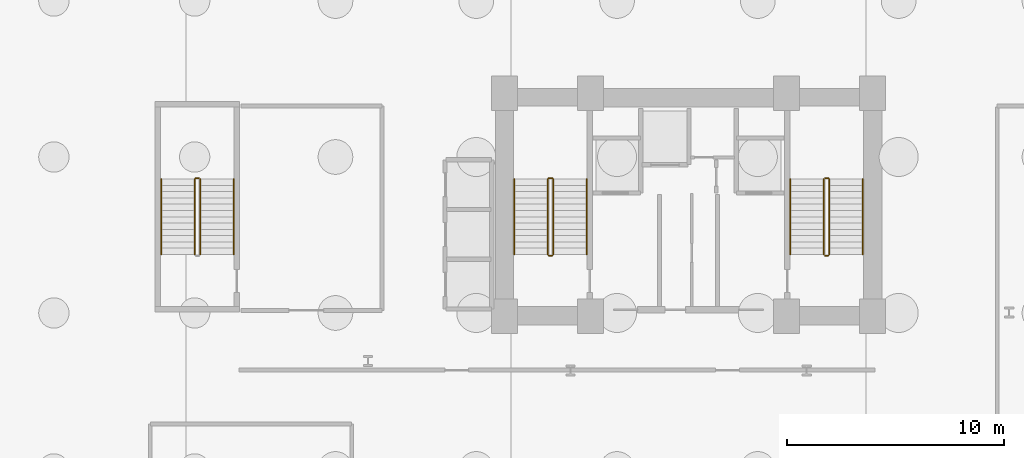
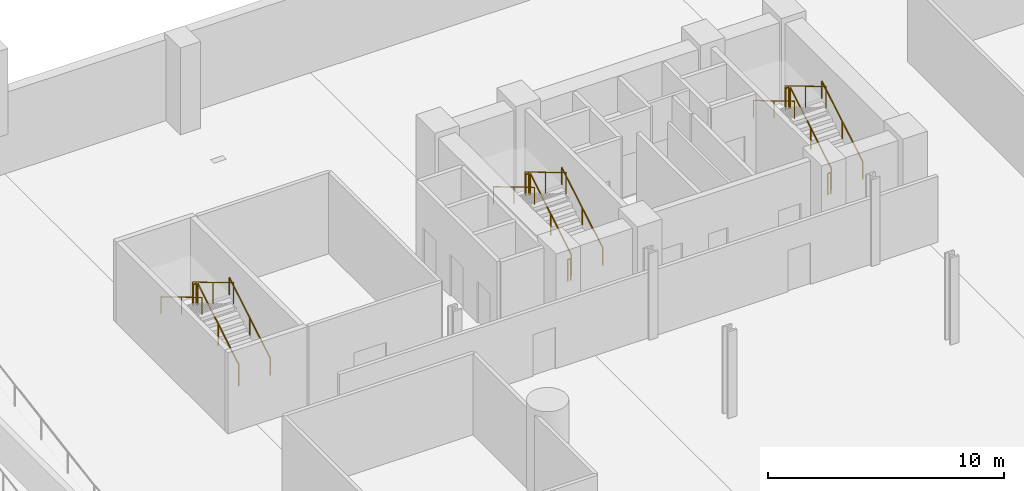
# One storey, part 7 of 8: 17 railings.
"""IFC4 building model written with IfcOpenShell, lengths in metres."""

from ifc_helpers import new_model, si_unit, direction, frame, origin, origin_2d, place, context, subcontext, project, spatial, circle, extrude, material, type_object, element, save


model = new_model("IFC4")

# Units and contexts
model_context = context("Model", 3, precision=1e-05, world=origin(), true_north=direction((0.0, 1.0)))
body_context = subcontext(model_context, "Body", "Model", "MODEL_VIEW")
ifc_project = project(units=[si_unit("LENGTHUNIT", "METRE"), si_unit("AREAUNIT", "SQUARE_METRE"), si_unit("VOLUMEUNIT", "CUBIC_METRE"), si_unit("PLANEANGLEUNIT", "RADIAN"), si_unit("MASSUNIT", "GRAM", prefix="KILO")], contexts=[model_context])

# Site, building, storey
site_placement = place(None, origin())
site = spatial("IfcSite", under=ifc_project, at=site_placement, CompositionType="ELEMENT")
building_placement = place(site_placement, origin())
building = spatial("IfcBuilding", under=site, at=building_placement, Name="Varnelok Gate Tower", CompositionType="ELEMENT")
storey_placement = place(building_placement, frame((0.0, 0.0, -9.0)))
storey = spatial("IfcBuildingStorey", under=building, at=storey_placement, Name="B02", CompositionType="ELEMENT", Elevation=-9.0)

# Railings
ifc_material_1 = material(Name="Brushed Stainless Steel AISI 316", Category="steel")
railing_type_1 = type_object("IfcRailingType", Name="RL-HANDRAIL-900", PredefinedType="HANDRAIL", material=ifc_material_1)
railing_1_placement = place(storey_placement, frame((34.5, 31.60009765625, 0.173095703125)))
element("IfcRailing", 1, at=railing_1_placement, inside=storey, type_object=railing_type_1, Name="B02 ST-1 stair handrail 1", PredefinedType="HANDRAIL", context=body_context, shape_type="SweptSolid", body=[
    extrude(circle(Radius=0.02392578125, at=origin_2d()), frame((0.0, 0.0, 0.8759765625), z_axis=(0.0, 0.858697190188, 0.512483302717), x_axis=(-1.0, 0.0, 0.0)), (0.0, 0.0, 1.0), 4.052734375),
    extrude(circle(Radius=0.02099609375, at=origin_2d()), origin(), (0.0, 0.0, 1.0), 0.851806640625),
    extrude(circle(Radius=0.02099609375, at=origin_2d()), frame((0.0, 1.739990234375, 1.03857421875)), (0.0, 0.0, 1.0), 0.851806640625),
    extrude(circle(Radius=0.02099609375, at=origin_2d()), frame((0.0, 3.47998046875, 2.076904296875)), (0.0, 0.0, 1.0), 0.851806640625),
])
railing_2_placement = place(storey_placement, frame((31.14990234375, 35.080078125, 2.423095703125)))
element("IfcRailing", 2, at=railing_2_placement, inside=storey, type_object=railing_type_1, Name="B02 ST-1 stair handrail 2", PredefinedType="HANDRAIL", context=body_context, shape_type="SweptSolid", body=[
    extrude(circle(Radius=0.02392578125, at=origin_2d()), frame((0.0, 0.0, 0.8759765625), z_axis=(0.0, -0.858697190188, 0.512483302717), x_axis=(1.0, 0.0, 0.0)), (0.0, 0.0, 1.0), 4.052734375),
    extrude(circle(Radius=0.02099609375, at=origin_2d()), origin(), (0.0, 0.0, 1.0), 0.851806640625),
    extrude(circle(Radius=0.02099609375, at=origin_2d()), frame((0.0, -1.739990234375, 1.03857421875)), (0.0, 0.0, 1.0), 0.851806640625),
    extrude(circle(Radius=0.02099609375, at=origin_2d()), frame((0.0, -3.47998046875, 2.076904296875)), (0.0, 0.0, 1.0), 0.851806640625),
])
railing_3_placement = place(storey_placement, frame((47.25, 31.60009765625, 0.173095703125)))
element("IfcRailing", 3, at=railing_3_placement, inside=storey, type_object=railing_type_1, Name="B02 ST-2 stair handrail 1", PredefinedType="HANDRAIL", context=body_context, shape_type="SweptSolid", body=[
    extrude(circle(Radius=0.02392578125, at=origin_2d()), frame((0.0, 0.0, 0.8759765625), z_axis=(0.0, 0.858697190188, 0.512483302717), x_axis=(-1.0, 0.0, 0.0)), (0.0, 0.0, 1.0), 4.052734375),
    extrude(circle(Radius=0.02099609375, at=origin_2d()), origin(), (0.0, 0.0, 1.0), 0.851806640625),
    extrude(circle(Radius=0.02099609375, at=origin_2d()), frame((0.0, 1.739990234375, 1.03857421875)), (0.0, 0.0, 1.0), 0.851806640625),
    extrude(circle(Radius=0.02099609375, at=origin_2d()), frame((0.0, 3.47998046875, 2.076904296875)), (0.0, 0.0, 1.0), 0.851806640625),
])
railing_4_placement = place(storey_placement, frame((43.89990234375, 35.080078125, 2.423095703125)))
element("IfcRailing", 4, at=railing_4_placement, inside=storey, type_object=railing_type_1, Name="B02 ST-2 stair handrail 2", PredefinedType="HANDRAIL", context=body_context, shape_type="SweptSolid", body=[
    extrude(circle(Radius=0.02392578125, at=origin_2d()), frame((0.0, 0.0, 0.8759765625), z_axis=(0.0, -0.858697190188, 0.512483302717), x_axis=(1.0, 0.0, 0.0)), (0.0, 0.0, 1.0), 4.052734375),
    extrude(circle(Radius=0.02099609375, at=origin_2d()), origin(), (0.0, 0.0, 1.0), 0.851806640625),
    extrude(circle(Radius=0.02099609375, at=origin_2d()), frame((0.0, -1.739990234375, 1.03857421875)), (0.0, 0.0, 1.0), 0.851806640625),
    extrude(circle(Radius=0.02099609375, at=origin_2d()), frame((0.0, -3.47998046875, 2.076904296875)), (0.0, 0.0, 1.0), 0.851806640625),
])
railing_5_placement = place(storey_placement, frame((18.199951171875, 31.60009765625, 0.173095703125)))
element("IfcRailing", 5, at=railing_5_placement, inside=storey, type_object=railing_type_1, Name="B02 ST-3 stair handrail 1", PredefinedType="HANDRAIL", context=body_context, shape_type="SweptSolid", body=[
    extrude(circle(Radius=0.02392578125, at=origin_2d()), frame((0.0, 0.0, 0.8759765625), z_axis=(0.0, 0.858697190188, 0.512483302717), x_axis=(-1.0, 0.0, 0.0)), (0.0, 0.0, 1.0), 4.052734375),
    extrude(circle(Radius=0.02099609375, at=origin_2d()), origin(), (0.0, 0.0, 1.0), 0.851806640625),
    extrude(circle(Radius=0.02099609375, at=origin_2d()), frame((0.0, 1.739990234375, 1.03857421875)), (0.0, 0.0, 1.0), 0.851806640625),
    extrude(circle(Radius=0.02099609375, at=origin_2d()), frame((0.0, 3.47998046875, 2.076904296875)), (0.0, 0.0, 1.0), 0.851806640625),
])
railing_6_placement = place(storey_placement, frame((14.85009765625, 35.080078125, 2.423095703125)))
element("IfcRailing", 6, at=railing_6_placement, inside=storey, type_object=railing_type_1, Name="B02 ST-3 stair handrail 2", PredefinedType="HANDRAIL", context=body_context, shape_type="SweptSolid", body=[
    extrude(circle(Radius=0.02392578125, at=origin_2d()), frame((0.0, 0.0, 0.8759765625), z_axis=(0.0, -0.858697190188, 0.512483302717), x_axis=(1.0, 0.0, 0.0)), (0.0, 0.0, 1.0), 4.052734375),
    extrude(circle(Radius=0.02099609375, at=origin_2d()), origin(), (0.0, 0.0, 1.0), 0.851806640625),
    extrude(circle(Radius=0.02099609375, at=origin_2d()), frame((0.0, -1.739990234375, 1.03857421875)), (0.0, 0.0, 1.0), 0.851806640625),
    extrude(circle(Radius=0.02099609375, at=origin_2d()), frame((0.0, -3.47998046875, 2.076904296875)), (0.0, 0.0, 1.0), 0.851806640625),
])
ifc_material_2 = material(Name="Galvanized Steel Grade S350GD", Category="steel")
railing_type_2 = type_object("IfcRailingType", Name="RL-STAIR-GUARD1120", PredefinedType="GUARDRAIL", material=ifc_material_2)
railing_7_placement = place(storey_placement, frame((32.949951171875, 31.60009765625, 0.173095703125)))
element("IfcRailing", 7, at=railing_7_placement, inside=storey, type_object=railing_type_2, Name="B02 ST-1 stair guard 1", PredefinedType="GUARDRAIL", context=body_context, shape_type="SweptSolid", body=[
    extrude(circle(Radius=0.02392578125, at=origin_2d()), frame((0.0, 0.0, 1.09619140625), z_axis=(0.0, 0.858697190188, 0.512483302717), x_axis=(-1.0, 0.0, 0.0)), (0.0, 0.0, 1.0), 4.052734375),
    extrude(circle(Radius=0.02099609375, at=origin_2d()), origin(), (0.0, 0.0, 1.0), 1.072021484375),
    extrude(circle(Radius=0.02099609375, at=origin_2d()), frame((0.0, 1.739990234375, 1.03857421875)), (0.0, 0.0, 1.0), 1.072021484375),
    extrude(circle(Radius=0.02099609375, at=origin_2d()), frame((0.0, 3.47998046875, 2.076904296875)), (0.0, 0.0, 1.0), 1.072021484375),
])
railing_8_placement = place(storey_placement, frame((32.89990234375, 35.1298828125, 2.25)))
element("IfcRailing", 8, at=railing_8_placement, inside=storey, type_object=railing_type_2, Name="B02 ST-1 stair guard 2", PredefinedType="GUARDRAIL", context=body_context, shape_type="SweptSolid", body=[
    extrude(circle(Radius=0.02392578125, at=origin_2d()), frame((0.0, 0.0, 1.09619140625), z_axis=(-1.0, 0.0, 0.0), x_axis=(0.0, -1.0, 0.0)), (0.0, 0.0, 1.0), 0.14990234375),
    extrude(circle(Radius=0.02099609375, at=origin_2d()), origin(), (0.0, 0.0, 1.0), 1.072021484375),
    extrude(circle(Radius=0.02099609375, at=origin_2d()), frame((-0.14990234375, 0.0, 0.0)), (0.0, 0.0, 1.0), 1.072021484375),
])
railing_9_placement = place(storey_placement, frame((32.699951171875, 35.080078125, 2.423095703125)))
element("IfcRailing", 9, at=railing_9_placement, inside=storey, type_object=railing_type_2, Name="B02 ST-1 stair guard 3", PredefinedType="GUARDRAIL", context=body_context, shape_type="SweptSolid", body=[
    extrude(circle(Radius=0.02392578125, at=origin_2d()), frame((0.0, 0.0, 1.09619140625), z_axis=(0.0, -0.858697190188, 0.512483302717), x_axis=(1.0, 0.0, 0.0)), (0.0, 0.0, 1.0), 4.052734375),
    extrude(circle(Radius=0.02099609375, at=origin_2d()), origin(), (0.0, 0.0, 1.0), 1.072021484375),
    extrude(circle(Radius=0.02099609375, at=origin_2d()), frame((0.0, -1.739990234375, 1.03857421875)), (0.0, 0.0, 1.0), 1.072021484375),
    extrude(circle(Radius=0.02099609375, at=origin_2d()), frame((0.0, -3.47998046875, 2.076904296875)), (0.0, 0.0, 1.0), 1.072021484375),
])
railing_10_placement = place(storey_placement, frame((32.89990234375, 31.550048828125, 0.0)))
element("IfcRailing", 10, at=railing_10_placement, inside=storey, type_object=railing_type_2, Name="B02 ST-1 stair guard 4", PredefinedType="GUARDRAIL", context=body_context, shape_type="SweptSolid", body=[
    extrude(circle(Radius=0.02392578125, at=origin_2d()), frame((0.0, 0.0, 1.09619140625), z_axis=(-1.0, 0.0, 0.0), x_axis=(0.0, -1.0, 0.0)), (0.0, 0.0, 1.0), 0.14990234375),
    extrude(circle(Radius=0.02099609375, at=origin_2d()), origin(), (0.0, 0.0, 1.0), 1.072021484375),
    extrude(circle(Radius=0.02099609375, at=origin_2d()), frame((-0.14990234375, 0.0, 0.0)), (0.0, 0.0, 1.0), 1.072021484375),
])
railing_11_placement = place(storey_placement, frame((45.699951171875, 31.60009765625, 0.173095703125)))
element("IfcRailing", 11, at=railing_11_placement, inside=storey, type_object=railing_type_2, Name="B02 ST-2 stair guard 1", PredefinedType="GUARDRAIL", context=body_context, shape_type="SweptSolid", body=[
    extrude(circle(Radius=0.02392578125, at=origin_2d()), frame((0.0, 0.0, 1.09619140625), z_axis=(0.0, 0.858697190188, 0.512483302717), x_axis=(-1.0, 0.0, 0.0)), (0.0, 0.0, 1.0), 4.052734375),
    extrude(circle(Radius=0.02099609375, at=origin_2d()), origin(), (0.0, 0.0, 1.0), 1.072021484375),
    extrude(circle(Radius=0.02099609375, at=origin_2d()), frame((0.0, 1.739990234375, 1.03857421875)), (0.0, 0.0, 1.0), 1.072021484375),
    extrude(circle(Radius=0.02099609375, at=origin_2d()), frame((0.0, 3.47998046875, 2.076904296875)), (0.0, 0.0, 1.0), 1.072021484375),
])
railing_12_placement = place(storey_placement, frame((45.64990234375, 35.1298828125, 2.25)))
element("IfcRailing", 12, at=railing_12_placement, inside=storey, type_object=railing_type_2, Name="B02 ST-2 stair guard 2", PredefinedType="GUARDRAIL", context=body_context, shape_type="SweptSolid", body=[
    extrude(circle(Radius=0.02392578125, at=origin_2d()), frame((0.0, 0.0, 1.09619140625), z_axis=(-1.0, 0.0, 0.0), x_axis=(0.0, -1.0, 0.0)), (0.0, 0.0, 1.0), 0.14990234375),
    extrude(circle(Radius=0.02099609375, at=origin_2d()), origin(), (0.0, 0.0, 1.0), 1.072021484375),
    extrude(circle(Radius=0.02099609375, at=origin_2d()), frame((-0.14990234375, 0.0, 0.0)), (0.0, 0.0, 1.0), 1.072021484375),
])
railing_13_placement = place(storey_placement, frame((45.449951171875, 35.080078125, 2.423095703125)))
element("IfcRailing", 13, at=railing_13_placement, inside=storey, type_object=railing_type_2, Name="B02 ST-2 stair guard 3", PredefinedType="GUARDRAIL", context=body_context, shape_type="SweptSolid", body=[
    extrude(circle(Radius=0.02392578125, at=origin_2d()), frame((0.0, 0.0, 1.09619140625), z_axis=(0.0, -0.858697190188, 0.512483302717), x_axis=(1.0, 0.0, 0.0)), (0.0, 0.0, 1.0), 4.052734375),
    extrude(circle(Radius=0.02099609375, at=origin_2d()), origin(), (0.0, 0.0, 1.0), 1.072021484375),
    extrude(circle(Radius=0.02099609375, at=origin_2d()), frame((0.0, -1.739990234375, 1.03857421875)), (0.0, 0.0, 1.0), 1.072021484375),
    extrude(circle(Radius=0.02099609375, at=origin_2d()), frame((0.0, -3.47998046875, 2.076904296875)), (0.0, 0.0, 1.0), 1.072021484375),
])
railing_14_placement = place(storey_placement, frame((45.64990234375, 31.550048828125, 0.0)))
element("IfcRailing", 14, at=railing_14_placement, inside=storey, type_object=railing_type_2, Name="B02 ST-2 stair guard 4", PredefinedType="GUARDRAIL", context=body_context, shape_type="SweptSolid", body=[
    extrude(circle(Radius=0.02392578125, at=origin_2d()), frame((0.0, 0.0, 1.09619140625), z_axis=(-1.0, 0.0, 0.0), x_axis=(0.0, -1.0, 0.0)), (0.0, 0.0, 1.0), 0.14990234375),
    extrude(circle(Radius=0.02099609375, at=origin_2d()), origin(), (0.0, 0.0, 1.0), 1.072021484375),
    extrude(circle(Radius=0.02099609375, at=origin_2d()), frame((-0.14990234375, 0.0, 0.0)), (0.0, 0.0, 1.0), 1.072021484375),
])
railing_15_placement = place(storey_placement, frame((16.64990234375, 31.60009765625, 0.173095703125)))
element("IfcRailing", 15, at=railing_15_placement, inside=storey, type_object=railing_type_2, Name="B02 ST-3 stair guard 1", PredefinedType="GUARDRAIL", context=body_context, shape_type="SweptSolid", body=[
    extrude(circle(Radius=0.02392578125, at=origin_2d()), frame((0.0, 0.0, 1.09619140625), z_axis=(0.0, 0.858697190188, 0.512483302717), x_axis=(-1.0, 0.0, 0.0)), (0.0, 0.0, 1.0), 4.052734375),
    extrude(circle(Radius=0.02099609375, at=origin_2d()), origin(), (0.0, 0.0, 1.0), 1.072021484375),
    extrude(circle(Radius=0.02099609375, at=origin_2d()), frame((0.0, 1.739990234375, 1.03857421875)), (0.0, 0.0, 1.0), 1.072021484375),
    extrude(circle(Radius=0.02099609375, at=origin_2d()), frame((0.0, 3.47998046875, 2.076904296875)), (0.0, 0.0, 1.0), 1.072021484375),
])
railing_16_placement = place(storey_placement, frame((16.60009765625, 35.1298828125, 2.25)))
element("IfcRailing", 16, at=railing_16_placement, inside=storey, type_object=railing_type_2, Name="B02 ST-3 stair guard 2", PredefinedType="GUARDRAIL", context=body_context, shape_type="SweptSolid", body=[
    extrude(circle(Radius=0.02392578125, at=origin_2d()), frame((0.0, 0.0, 1.09619140625), z_axis=(-1.0, 0.0, 0.0), x_axis=(0.0, -1.0, 0.0)), (0.0, 0.0, 1.0), 0.150146484375),
    extrude(circle(Radius=0.02099609375, at=origin_2d()), origin(), (0.0, 0.0, 1.0), 1.072021484375),
    extrude(circle(Radius=0.02099609375, at=origin_2d()), frame((-0.150146484375, 0.0, 0.0)), (0.0, 0.0, 1.0), 1.072021484375),
])
railing_17_placement = place(storey_placement, frame((16.39990234375, 35.080078125, 2.423095703125)))
element("IfcRailing", 17, at=railing_17_placement, inside=storey, type_object=railing_type_2, Name="B02 ST-3 stair guard 3", PredefinedType="GUARDRAIL", context=body_context, shape_type="SweptSolid", body=[
    extrude(circle(Radius=0.02392578125, at=origin_2d()), frame((0.0, 0.0, 1.09619140625), z_axis=(0.0, -0.858697190188, 0.512483302717), x_axis=(1.0, 0.0, 0.0)), (0.0, 0.0, 1.0), 4.052734375),
    extrude(circle(Radius=0.02099609375, at=origin_2d()), origin(), (0.0, 0.0, 1.0), 1.072021484375),
    extrude(circle(Radius=0.02099609375, at=origin_2d()), frame((0.0, -1.739990234375, 1.03857421875)), (0.0, 0.0, 1.0), 1.072021484375),
    extrude(circle(Radius=0.02099609375, at=origin_2d()), frame((0.0, -3.47998046875, 2.076904296875)), (0.0, 0.0, 1.0), 1.072021484375),
])

save(model, "model.ifc")
